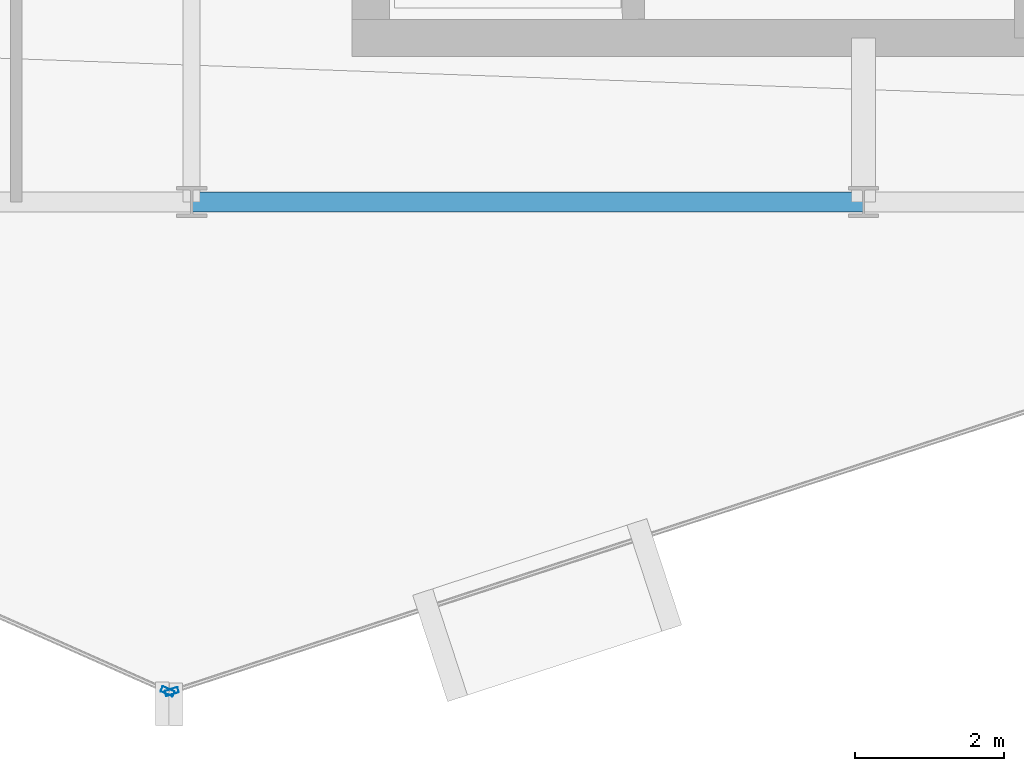
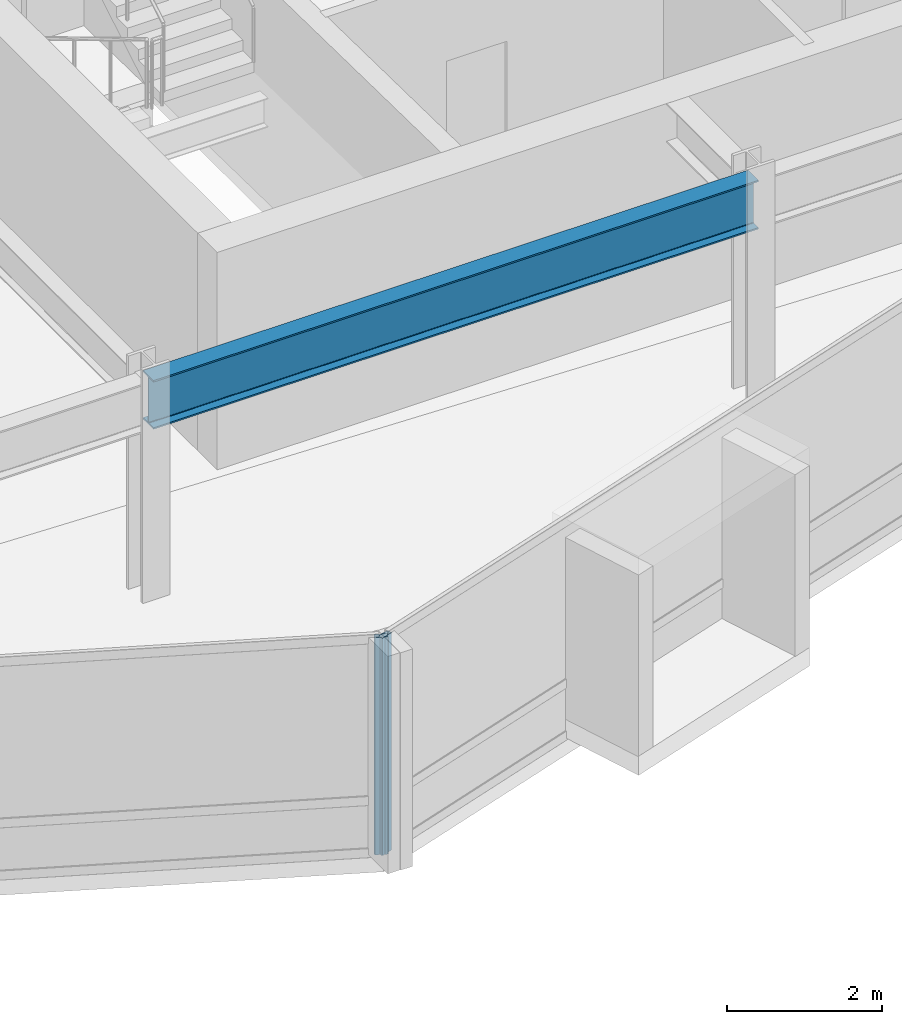
# One storey, part 4 of 27: 2 members, 1 beam, 2 elements without a shape of their own.
"""IFC4 building model written with IfcOpenShell, lengths in metres."""

from ifc_helpers import new_model, si_unit, direction, frame, origin, origin_2d, place, context, subcontext, project, spatial, hollow_rectangle, i_section, extrude, material, layer, layer_set, material_profile, profile_set, type_object, element, aggregate, save


model = new_model("IFC4")

# Units and contexts
model_context = context("Model", 3, precision=1e-05, world=origin(), true_north=direction((0.0, 1.0)))
body_context = subcontext(model_context, "Body", "Model", "MODEL_VIEW")
ifc_project = project(units=[si_unit("LENGTHUNIT", "METRE"), si_unit("AREAUNIT", "SQUARE_METRE"), si_unit("VOLUMEUNIT", "CUBIC_METRE"), si_unit("PLANEANGLEUNIT", "RADIAN"), si_unit("MASSUNIT", "GRAM", prefix="KILO")], contexts=[model_context])

# Site, building, storey
site_placement = place(None, origin())
site = spatial("IfcSite", under=ifc_project, at=site_placement, CompositionType="ELEMENT")
building_placement = place(site_placement, origin())
building = spatial("IfcBuilding", under=site, at=building_placement, Name="Solvaryn Broadcast Tower", CompositionType="ELEMENT")
storey_placement = place(building_placement, frame((0.0, 0.0, 177.89990234375)))
storey = spatial("IfcBuildingStorey", under=building, at=storey_placement, Name="L44", CompositionType="ELEMENT", Elevation=177.89990234375)

# Beam
ifc_material_1 = material(Name="Steel ASTM A992 Grade 50", Category="steel")
ifc_material_profile_1 = material_profile(ifc_material_1, i_section(OverallWidth=0.26708984375, OverallDepth=0.76611328125, WebThickness=0.014892578125, FlangeThickness=0.023681640625, FilletRadius=0.01806640625, at=origin_2d()))
ifc_profile_set_1 = profile_set([ifc_material_profile_1], Name="Steel ASTM A992 Grade 50")
beam_type = type_object("IfcBeamType", Name="BM-SP2-W30X124", PredefinedType="USERDEFINED", material=ifc_profile_set_1)
beam_placement = place(storey_placement, frame((27.0, 9.0, 3.037109375), z_axis=(1.0, 0.0, 0.0), x_axis=(0.0, 1.0, 0.0)))
element("IfcBeam", 1, at=beam_placement, inside=storey, type_object=beam_type, Name="L44 Spandrel Beam X (27-36 @ Y=9)", ObjectType="SPANDREL", PredefinedType="USERDEFINED", context=body_context, shape_type="SweptSolid", body=[
    extrude(i_section(OverallWidth=0.26708984375, OverallDepth=0.76611328125, WebThickness=0.014892578125, FlangeThickness=0.023681640625, FilletRadius=0.01806640625, at=origin_2d()), origin(), (0.0, 0.0, 1.0), 9.0),
])

# Curtain wall, member
ifc_material_2 = material(Name="Aluminium and Terracotta Unitised Curtain Wall", Category="masonry")
ifc_layer = layer(ifc_material_2, 0.199951171875)
ifc_layer_set = layer_set([ifc_layer], Name="CW-SYS2-LOWMID")
curtain_wall_type = type_object("IfcCurtainWallType", Name="CW-SYS2-LOWMID", PredefinedType="NOTDEFINED", material=ifc_layer_set)
curtain_wall_1_placement = place(storey_placement, origin())
curtain_wall_1 = element("IfcCurtainWall", 2, at=curtain_wall_1_placement, inside=storey, type_object=curtain_wall_type, Name="L44 Curtain Wall DR3", PredefinedType="NOTDEFINED")
ifc_material_3 = material(Name="Anodised Aluminium 6063-T6", Category="aluminium")
ifc_material_profile_2 = material_profile(ifc_material_3, hollow_rectangle(XDim=0.074951171875, YDim=0.179931640625, WallThickness=0.00390625, InnerFilletRadius=0.00390625, OuterFilletRadius=0.008056640625, at=origin_2d()))
ifc_profile_set_2 = profile_set([ifc_material_profile_2], Name="Anodised Aluminium 6063-T6")
member_type = type_object("IfcMemberType", Name="CW-MUL-180", PredefinedType="MULLION", material=ifc_profile_set_2)
member_1_placement = place(storey_placement, frame((26.678466796875, 2.445068359375, 0.0), z_axis=(0.0, 0.0, 1.0), x_axis=(0.405901337237, 0.913916902365, 0.0)))
member_1 = element("IfcMember", 3, at=member_1_placement, type_object=member_type, Name="CWS2 mullion 2", PredefinedType="MULLION", context=body_context, shape_type="SweptSolid", body=[
    extrude(hollow_rectangle(XDim=0.074951171875, YDim=0.179931640625, WallThickness=0.00390625, InnerFilletRadius=0.00390625, OuterFilletRadius=0.008056640625, at=origin_2d()), origin(), (0.0, 0.0, 1.0), 3.420166015625),
])
aggregate(curtain_wall_1, [member_1])

curtain_wall_2_placement = place(storey_placement, origin())
curtain_wall_2 = element("IfcCurtainWall", 4, at=curtain_wall_2_placement, inside=storey, type_object=curtain_wall_type, Name="L44 Curtain Wall DR4", PredefinedType="NOTDEFINED")
member_2_placement = place(storey_placement, frame((26.734619140625, 2.4423828125, 0.0), z_axis=(0.0, 0.0, 1.0), x_axis=(-0.311558717623, 0.950226902099, 0.0)))
member_2 = element("IfcMember", 5, at=member_2_placement, type_object=member_type, Name="CWS2 mullion 1", PredefinedType="MULLION", context=body_context, shape_type="SweptSolid", body=[
    extrude(hollow_rectangle(XDim=0.074951171875, YDim=0.179931640625, WallThickness=0.00390625, InnerFilletRadius=0.00390625, OuterFilletRadius=0.008056640625, at=origin_2d()), origin(), (0.0, 0.0, 1.0), 3.420166015625),
])
aggregate(curtain_wall_2, [member_2])

save(model, "model.ifc")
